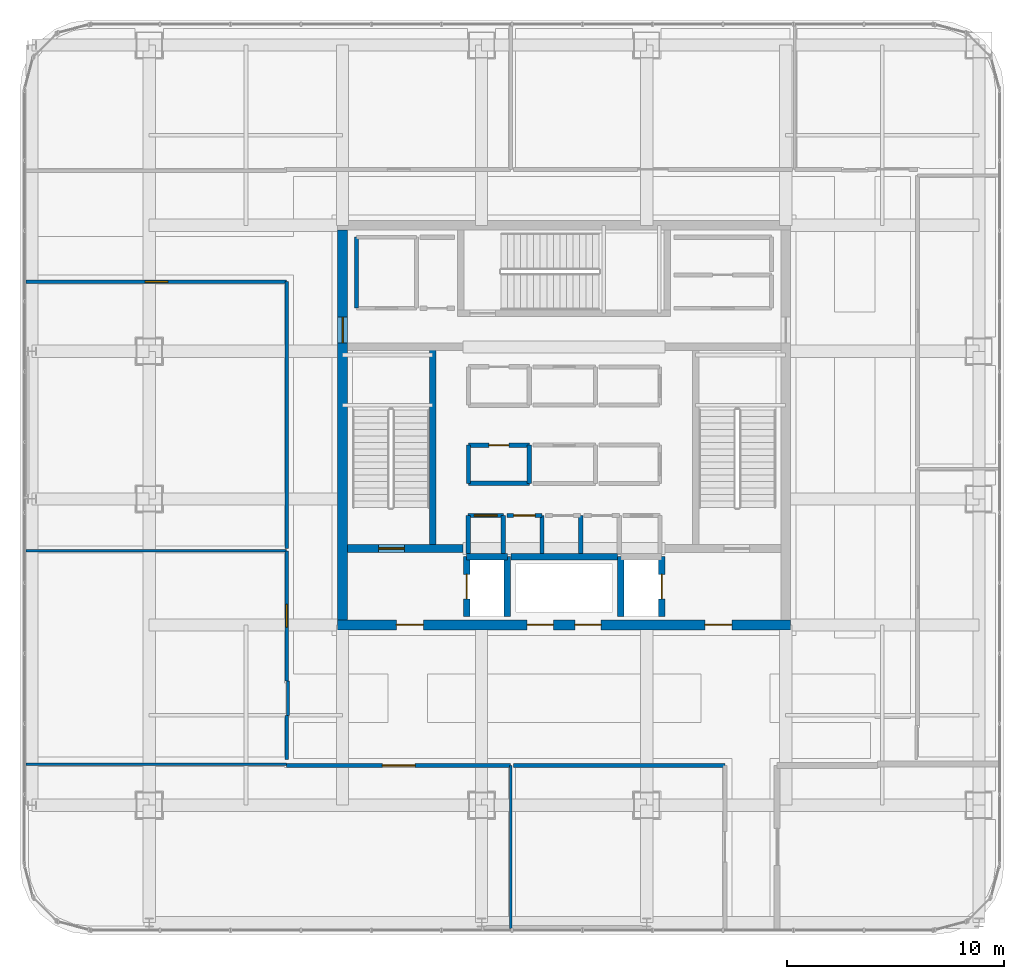
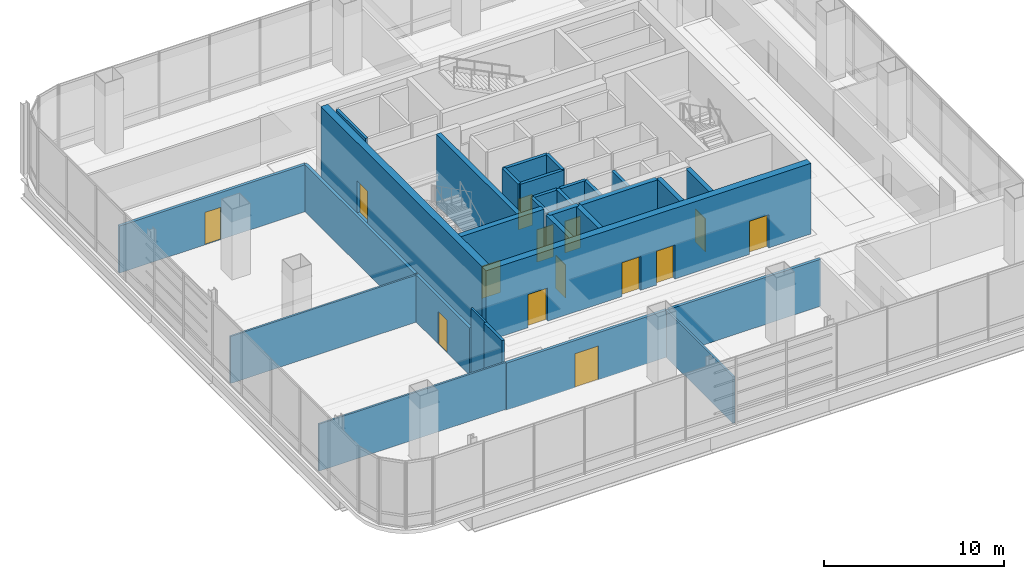
# One storey, part 36 of 45: 31 walls, 14 doors, 14 openings.
"""IFC4 building model written with IfcOpenShell, lengths in metres."""

from ifc_helpers import new_model, si_unit, direction, frame, frame_2d, origin, place, context, subcontext, project, spatial, rectangle, extrude, material, layer, layer_set, type_object, element, fill, save


model = new_model("IFC4")

# Units and contexts
model_context = context("Model", 3, precision=1e-05, world=origin(), true_north=direction((0.0, 1.0)))
body_context = subcontext(model_context, "Body", "Model", "MODEL_VIEW")
ifc_project = project(units=[si_unit("LENGTHUNIT", "METRE"), si_unit("AREAUNIT", "SQUARE_METRE"), si_unit("VOLUMEUNIT", "CUBIC_METRE"), si_unit("PLANEANGLEUNIT", "RADIAN"), si_unit("MASSUNIT", "GRAM", prefix="KILO")], contexts=[model_context])

# Site, building, storey
site_placement = place(None, origin())
site = spatial("IfcSite", under=ifc_project, at=site_placement, CompositionType="ELEMENT")
building_placement = place(site_placement, origin())
building = spatial("IfcBuilding", under=site, at=building_placement, Name="Punatoya Terracotta Tower", CompositionType="ELEMENT")
storey_placement = place(building_placement, frame((0.0, 0.0, 339.0)))
storey = spatial("IfcBuildingStorey", under=building, at=storey_placement, Name="L80", CompositionType="ELEMENT", Elevation=339.0)

# Wall, openings, doors
ifc_material_1 = material(Name="Concrete C50/60", Category="concrete")
ifc_layer_1 = layer(ifc_material_1, 0.449951171875)
ifc_layer_set_1 = layer_set([ifc_layer_1], Name="Concrete C50/60")
wall_type_1 = type_object("IfcWallType", Name="WL-COR-450", PredefinedType="SHEAR", material=ifc_layer_set_1)
wall_1_placement = place(storey_placement, frame((10.425048828125, -9.199951171875, 0.0), z_axis=(0.0, 0.0, 1.0), x_axis=(-1.0, 0.0, 0.0)))
wall_1 = element("IfcWall", 1, at=wall_1_placement, inside=storey, type_object=wall_type_1, Name="L80 Core Shear Wall S", PredefinedType="SHEAR", context=body_context, shape_type="SweptSolid", body=[
    extrude(rectangle(XDim=20.85009765625, YDim=0.449951171875, at=frame_2d((10.425048828125, 0.0))), origin(), (0.0, 0.0, 1.0), 4.800048828125),
])
opening_1_placement = place(wall_1_placement, frame((2.699951171875, 0.0, 0.0)))
opening_1 = element("IfcOpeningElement", 2, at=opening_1_placement, cuts=wall_1, Name="Opening FD-L1", PredefinedType="OPENING", context=body_context, shape_type="SweptSolid", body=[
    extrude(rectangle(XDim=1.25, YDim=2.25, at=frame_2d((0.625, 1.125))), frame((0.0, 0.23486328125, 0.0), z_axis=(0.0, -1.0, 0.0), x_axis=(1.0, 0.0, 0.0)), (0.0, 0.0, 1.0), 0.469970703125),
])
opening_2_placement = place(wall_1_placement, frame((16.89990234375, 0.0, 0.0)))
opening_2 = element("IfcOpeningElement", 3, at=opening_2_placement, cuts=wall_1, Name="Opening FD-L1", PredefinedType="OPENING", context=body_context, shape_type="SweptSolid", body=[
    extrude(rectangle(XDim=1.25, YDim=2.25, at=frame_2d((0.625, 1.125))), frame((0.0, 0.23486328125, 0.0), z_axis=(0.0, -1.0, 0.0), x_axis=(1.0, 0.0, 0.0)), (0.0, 0.0, 1.0), 0.469970703125),
])
opening_3_placement = place(wall_1_placement, frame((10.925048828125, 0.0, 0.0)))
opening_3 = element("IfcOpeningElement", 4, at=opening_3_placement, cuts=wall_1, Name="Opening LD-01", PredefinedType="OPENING", context=body_context, shape_type="SweptSolid", body=[
    extrude(rectangle(XDim=1.199951171875, YDim=2.300048828125, at=frame_2d((0.60009765625, 1.14990234375))), frame((0.0, 0.23486328125, 0.0), z_axis=(0.0, -1.0, 0.0), x_axis=(1.0, 0.0, 0.0)), (0.0, 0.0, 1.0), 0.469970703125),
])
opening_4_placement = place(wall_1_placement, frame((8.72509765625, 0.0, 0.0)))
opening_4 = element("IfcOpeningElement", 5, at=opening_4_placement, cuts=wall_1, Name="Opening LD-01", PredefinedType="OPENING", context=body_context, shape_type="SweptSolid", body=[
    extrude(rectangle(XDim=1.199951171875, YDim=2.300048828125, at=frame_2d((0.60009765625, 1.14990234375))), frame((0.0, 0.23486328125, 0.0), z_axis=(0.0, -1.0, 0.0), x_axis=(1.0, 0.0, 0.0)), (0.0, 0.0, 1.0), 0.469970703125),
])
ifc_material_2 = material(Name="Galvanised Steel Smokeproof Fire Door", Category="steel")
door_type_1 = type_object("IfcDoorType", Name="DR-FFL-1250", OperationType="NOTDEFINED", PredefinedType="DOOR", material=ifc_material_2)
door_1_placement = place(opening_1_placement, origin())
door_1 = element("IfcDoor", 6, at=door_1_placement, inside=storey, type_object=door_type_1, Name="L80 East Firefighting Lobby Corridor Fire Door", OperationType="SINGLE_SWING_LEFT", OverallHeight=2.25, OverallWidth=1.25, PredefinedType="DOOR", context=body_context, shape_type="SweptSolid", body=[
    extrude(rectangle(XDim=1.25, YDim=2.25, at=frame_2d((0.625, 1.125))), frame((0.0, 0.02490234375, 0.0), z_axis=(0.0, -1.0, 0.0), x_axis=(1.0, 0.0, 0.0)), (0.0, 0.0, 1.0), 0.050048828125),
])
fill(opening_1, door_1)
door_2_placement = place(opening_2_placement, origin())
door_2 = element("IfcDoor", 7, at=door_2_placement, inside=storey, type_object=door_type_1, Name="L80 West Firefighting Lobby Corridor Fire Door", OperationType="SINGLE_SWING_RIGHT", OverallHeight=2.25, OverallWidth=1.25, PredefinedType="DOOR", context=body_context, shape_type="SweptSolid", body=[
    extrude(rectangle(XDim=1.25, YDim=2.25, at=frame_2d((0.625, 1.125))), frame((0.0, 0.02490234375, 0.0), z_axis=(0.0, -1.0, 0.0), x_axis=(1.0, 0.0, 0.0)), (0.0, 0.0, 1.0), 0.050048828125),
])
fill(opening_2, door_2)
ifc_material_3 = material(Name="Stainless Steel Lift Landing Door", Category="steel")
door_type_2 = type_object("IfcDoorType", Name="DR-LND-1200", OperationType="NOTDEFINED", PredefinedType="DOOR", material=ifc_material_3)
door_3_placement = place(opening_3_placement, origin())
door_3 = element("IfcDoor", 8, at=door_3_placement, inside=storey, type_object=door_type_2, Name="L80 Observation Express OB-1 Sliding Landing Door", OperationType="DOUBLE_DOOR_SLIDING", OverallHeight=2.300048828125, OverallWidth=1.199951171875, PredefinedType="DOOR", context=body_context, shape_type="SweptSolid", body=[
    extrude(rectangle(XDim=1.199951171875, YDim=2.300048828125, at=frame_2d((0.60009765625, 1.14990234375))), frame((0.0, 0.02490234375, 0.0), z_axis=(0.0, -1.0, 0.0), x_axis=(1.0, 0.0, 0.0)), (0.0, 0.0, 1.0), 0.050048828125),
])
fill(opening_3, door_3)
door_4_placement = place(opening_4_placement, origin())
door_4 = element("IfcDoor", 9, at=door_4_placement, inside=storey, type_object=door_type_2, Name="L80 Observation Express OB-2 Sliding Landing Door", OperationType="DOUBLE_DOOR_SLIDING", OverallHeight=2.300048828125, OverallWidth=1.199951171875, PredefinedType="DOOR", context=body_context, shape_type="SweptSolid", body=[
    extrude(rectangle(XDim=1.199951171875, YDim=2.300048828125, at=frame_2d((0.60009765625, 1.14990234375))), frame((0.0, 0.02490234375, 0.0), z_axis=(0.0, -1.0, 0.0), x_axis=(1.0, 0.0, 0.0)), (0.0, 0.0, 1.0), 0.050048828125),
])
fill(opening_4, door_4)

# Wall, opening, door
wall_2_placement = place(storey_placement, frame((-10.199951171875, -8.97509765625, 0.0), z_axis=(0.0, 0.0, 1.0), x_axis=(0.0, 1.0, 0.0)))
wall_2 = element("IfcWall", 10, at=wall_2_placement, inside=storey, type_object=wall_type_1, Name="L80 Core Shear Wall W", PredefinedType="SHEAR", context=body_context, shape_type="SweptSolid", body=[
    extrude(rectangle(XDim=17.9501953125, YDim=0.449951171875, at=frame_2d((8.97509765625, 0.0))), origin(), (0.0, 0.0, 1.0), 4.800048828125),
])
opening_5_placement = place(wall_2_placement, frame((12.764892578125, 0.0, 0.0)))
opening_5 = element("IfcOpeningElement", 11, at=opening_5_placement, cuts=wall_2, Name="Opening SD-01", PredefinedType="OPENING", context=body_context, shape_type="SweptSolid", body=[
    extrude(rectangle(XDim=1.179931640625, YDim=2.199951171875, at=frame_2d((0.58984375, 1.10009765625))), frame((0.0, 0.23486328125, 0.0), z_axis=(0.0, -1.0, 0.0), x_axis=(1.0, 0.0, 0.0)), (0.0, 0.0, 1.0), 0.469970703125),
])
ifc_material_4 = material(Name="Galvanised Steel Pressurized Stair Fire Door", Category="steel")
door_type_3 = type_object("IfcDoorType", Name="DR-STR-1180", OperationType="NOTDEFINED", PredefinedType="DOOR", material=ifc_material_4)
door_5_placement = place(opening_5_placement, origin())
door_5 = element("IfcDoor", 12, at=door_5_placement, inside=storey, type_object=door_type_3, Name="L80 Central Lift Lobby West Fire Door", OperationType="SINGLE_SWING_LEFT", OverallHeight=2.199951171875, OverallWidth=1.179931640625, PredefinedType="DOOR", context=body_context, shape_type="SweptSolid", body=[
    extrude(rectangle(XDim=1.179931640625, YDim=2.199951171875, at=frame_2d((0.58984375, 1.10009765625))), frame((0.0, 0.02490234375, 0.0), z_axis=(0.0, -1.0, 0.0), x_axis=(1.0, 0.0, 0.0)), (0.0, 0.0, 1.0), 0.050048828125),
])
fill(opening_5, door_5)

# Wall
ifc_material_5 = material(Name="Gypsum Fireboard + Steel Stud", Category="steel")
ifc_layer_2 = layer(ifc_material_5, 0.179931640625)
ifc_layer_set_2 = layer_set([ifc_layer_2], Name="Gypsum Fireboard + Steel Stud")
wall_type_2 = type_object("IfcWallType", Name="WL-CORR-180", PredefinedType="PARTITIONING", material=ifc_layer_set_2)
wall_3_placement = place(storey_placement, frame((-9.550048828125, 8.64990234375, 0.0), z_axis=(0.0, 0.0, 1.0), x_axis=(0.0, -1.0, 0.0)))
element("IfcWall", 13, at=wall_3_placement, inside=storey, type_object=wall_type_2, Name="L80 West Core Briefing Pod Partition 34", PredefinedType="PARTITIONING", context=body_context, shape_type="SweptSolid", body=[
    extrude(rectangle(XDim=3.27001953125, YDim=0.179931640625, at=frame_2d((1.635009765625, 0.0))), origin(), (0.0, 0.0, 1.0), 4.52001953125),
])

# Wall, opening, door
wall_4_placement = place(storey_placement, frame((-12.77001953125, -15.669921875, 0.0), z_axis=(0.0, 0.0, 1.0), x_axis=(1.0, 0.0, 0.0)))
wall_4 = element("IfcWall", 14, at=wall_4_placement, inside=storey, type_object=wall_type_2, Name="L80 Waterfront Observation Gallery Partition 44", PredefinedType="PARTITIONING", context=body_context, shape_type="SweptSolid", body=[
    extrude(rectangle(XDim=10.31005859375, YDim=0.179931640625, at=frame_2d((5.155029296875, 0.0))), origin(), (0.0, 0.0, 1.0), 3.194091796875),
])
opening_6_placement = place(wall_4_placement, frame((4.405029296875, 0.0, 0.0)))
opening_6 = element("IfcOpeningElement", 15, at=opening_6_placement, cuts=wall_4, Name="Opening ED-01", PredefinedType="OPENING", context=body_context, shape_type="SweptSolid", body=[
    extrude(rectangle(XDim=1.5, YDim=2.300048828125, at=frame_2d((0.75, 1.14990234375))), frame((0.0, 0.099853515625, 0.0), z_axis=(0.0, -1.0, 0.0), x_axis=(1.0, 0.0, 0.0)), (0.0, 0.0, 1.0), 0.199951171875),
])
ifc_material_6 = material(Name="Bengal Teak Fire-Resisting Double Leaf")
door_type_4 = type_object("IfcDoorType", Name="DR-EXEC-1500", OperationType="NOTDEFINED", PredefinedType="DOOR", material=ifc_material_6)
door_6_placement = place(opening_6_placement, origin())
door_6 = element("IfcDoor", 16, at=door_6_placement, inside=storey, type_object=door_type_4, Name="L80 Waterfront Observation Gallery Fire Door", OperationType="DOUBLE_DOOR_SINGLE_SWING", OverallHeight=2.300048828125, OverallWidth=1.5, PredefinedType="DOOR", context=body_context, shape_type="SweptSolid", body=[
    extrude(rectangle(XDim=1.5, YDim=2.300048828125, at=frame_2d((0.75, 1.14990234375))), frame((0.0, 0.02490234375, 0.0), z_axis=(0.0, -1.0, 0.0), x_axis=(1.0, 0.0, 0.0)), (0.0, 0.0, 1.0), 0.050048828125),
])
fill(opening_6, door_6)

# Wall
wall_5_placement = place(storey_placement, frame((-2.340087890625, -15.669921875, 0.0), z_axis=(0.0, 0.0, 1.0), x_axis=(1.0, 0.0, 0.0)))
element("IfcWall", 17, at=wall_5_placement, inside=storey, type_object=wall_type_2, Name="L80 Open-Plan Heritage Collections Curatorial Study Partition 47", PredefinedType="PARTITIONING", context=body_context, shape_type="SweptSolid", body=[
    extrude(rectangle(XDim=9.739990234375, YDim=0.179931640625, at=frame_2d((4.8701171875, 0.0))), origin(), (0.0, 0.0, 1.0), 3.194091796875),
])

# Wall, opening, door
wall_6_placement = place(storey_placement, frame((-12.77001953125, -5.7900390625, 0.0), z_axis=(0.0, 0.0, 1.0), x_axis=(0.0, -1.0, 0.0)))
wall_6 = element("IfcWall", 18, at=wall_6_placement, inside=storey, type_object=wall_type_2, Name="L80 Panoramic Photography Studio Partition 52", PredefinedType="PARTITIONING", context=body_context, shape_type="SweptSolid", body=[
    extrude(rectangle(XDim=5.97998046875, YDim=0.179931640625, at=frame_2d((2.989990234375, 0.0))), origin(), (0.0, 0.0, 1.0), 3.194091796875),
])
opening_7_placement = place(wall_6_placement, frame((2.465087890625, 0.0, 0.0)))
opening_7 = element("IfcOpeningElement", 19, at=opening_7_placement, cuts=wall_6, Name="Opening OD-01", PredefinedType="OPENING", context=body_context, shape_type="SweptSolid", body=[
    extrude(rectangle(XDim=1.050048828125, YDim=2.199951171875, at=frame_2d((0.52490234375, 1.10009765625))), frame((0.0, 0.099853515625, 0.0), z_axis=(0.0, -1.0, 0.0), x_axis=(1.0, 0.0, 0.0)), (0.0, 0.0, 1.0), 0.199951171875),
])
ifc_material_7 = material(Name="Bengal Teak Solid-Core Leaf")
door_type_5 = type_object("IfcDoorType", Name="DR-OFF-1050", OperationType="NOTDEFINED", PredefinedType="DOOR", material=ifc_material_7)
door_7_placement = place(opening_7_placement, origin())
door_7 = element("IfcDoor", 20, at=door_7_placement, inside=storey, type_object=door_type_5, Name="L80 Panoramic Photography Studio Door", OperationType="SINGLE_SWING_RIGHT", OverallHeight=2.199951171875, OverallWidth=1.050048828125, PredefinedType="DOOR", context=body_context, shape_type="SweptSolid", body=[
    extrude(rectangle(XDim=1.050048828125, YDim=2.199951171875, at=frame_2d((0.52490234375, 1.10009765625))), frame((0.0, 0.02490234375, 0.0), z_axis=(0.0, -1.0, 0.0), x_axis=(1.0, 0.0, 0.0)), (0.0, 0.0, 1.0), 0.050048828125),
])
fill(opening_7, door_7)

# Wall
wall_7_placement = place(storey_placement, frame((-12.77001953125, -13.3798828125, 0.0), z_axis=(0.0, 0.0, 1.0), x_axis=(0.0, -1.0, 0.0)))
element("IfcWall", 21, at=wall_7_placement, inside=storey, type_object=wall_type_2, Name="L80 Panoramic Photography Studio Partition 54", PredefinedType="PARTITIONING", context=body_context, shape_type="SweptSolid", body=[
    extrude(rectangle(XDim=2.010009765625, YDim=0.179931640625, at=frame_2d((1.0048828125, 0.0))), origin(), (0.0, 0.0, 1.0), 4.52001953125),
])

# Wall, opening, door
wall_8_placement = place(storey_placement, frame((-24.77001953125, 6.60009765625, 0.0), z_axis=(0.0, 0.0, 1.0), x_axis=(1.0, 0.0, 0.0)))
wall_8 = element("IfcWall", 22, at=wall_8_placement, inside=storey, type_object=wall_type_2, Name="L80 Open-Plan Digital Cartography Studio Partition 58", PredefinedType="PARTITIONING", context=body_context, shape_type="SweptSolid", body=[
    extrude(rectangle(XDim=12.0, YDim=0.179931640625, at=frame_2d((6.0, 0.0))), origin(), (0.0, 0.0, 1.0), 3.194091796875),
])
opening_8_placement = place(wall_8_placement, frame((5.47509765625, 0.0, 0.0)))
opening_8 = element("IfcOpeningElement", 23, at=opening_8_placement, cuts=wall_8, Name="Opening OD-01", PredefinedType="OPENING", context=body_context, shape_type="SweptSolid", body=[
    extrude(rectangle(XDim=1.050048828125, YDim=2.199951171875, at=frame_2d((0.52490234375, 1.10009765625))), frame((0.0, 0.099853515625, 0.0), z_axis=(0.0, -1.0, 0.0), x_axis=(1.0, 0.0, 0.0)), (0.0, 0.0, 1.0), 0.199951171875),
])
door_8_placement = place(opening_8_placement, origin())
door_8 = element("IfcDoor", 24, at=door_8_placement, inside=storey, type_object=door_type_5, Name="L80 Open-Plan Digital Cartography Studio Door", OperationType="SINGLE_SWING_RIGHT", OverallHeight=2.199951171875, OverallWidth=1.050048828125, PredefinedType="DOOR", context=body_context, shape_type="SweptSolid", body=[
    extrude(rectangle(XDim=1.050048828125, YDim=2.199951171875, at=frame_2d((0.52490234375, 1.10009765625))), frame((0.0, 0.02490234375, 0.0), z_axis=(0.0, -1.0, 0.0), x_axis=(1.0, 0.0, 0.0)), (0.0, 0.0, 1.0), 0.050048828125),
])
fill(opening_8, door_8)

# Walls
wall_9_placement = place(storey_placement, frame((-12.77001953125, 6.60009765625, 0.0), z_axis=(0.0, 0.0, 1.0), x_axis=(0.0, -1.0, 0.0)))
element("IfcWall", 25, at=wall_9_placement, inside=storey, type_object=wall_type_2, Name="L80 Open-Plan Digital Cartography Studio Partition 59", PredefinedType="PARTITIONING", context=body_context, shape_type="SweptSolid", body=[
    extrude(rectangle(XDim=12.27001953125, YDim=0.179931640625, at=frame_2d((6.135009765625, 0.0))), origin(), (0.0, 0.0, 1.0), 3.194091796875),
])
ifc_material_8 = material(Name="Concrete C40/50", Category="concrete")
ifc_layer_3 = layer(ifc_material_8, 0.199951171875)
ifc_layer_set_3 = layer_set([ifc_layer_3], Name="Concrete C40/50")
wall_type_3 = type_object("IfcWallType", Name="WL-INT-200", PredefinedType="SOLIDWALL", material=ifc_layer_set_3)
wall_10_placement = place(storey_placement, frame((-2.800048828125, -5.89990234375, 0.0), z_axis=(0.0, 0.0, 1.0), x_axis=(0.0, 1.0, 0.0)))
element("IfcWall", 26, at=wall_10_placement, inside=storey, type_object=wall_type_3, Name="L80 Core Tea Pantry Partition 01", PredefinedType="SOLIDWALL", context=body_context, shape_type="SweptSolid", body=[
    extrude(rectangle(XDim=1.739990234375, YDim=0.199951171875, at=frame_2d((0.8701171875, 0.0))), origin(), (0.0, 0.0, 1.0), 4.52001953125),
])

# Wall, opening, door
wall_11_placement = place(storey_placement, frame((-2.800048828125, -4.159912109375, 0.0), z_axis=(0.0, 0.0, 1.0), x_axis=(-1.0, 0.0, 0.0)))
wall_11 = element("IfcWall", 27, at=wall_11_placement, inside=storey, type_object=wall_type_3, Name="L80 Core Tea Pantry Partition 02", PredefinedType="SOLIDWALL", context=body_context, shape_type="SweptSolid", body=[
    extrude(rectangle(XDim=1.619873046875, YDim=0.199951171875, at=frame_2d((0.81005859375, 0.0))), origin(), (0.0, 0.0, 1.0), 4.52001953125),
])
opening_9_placement = place(wall_11_placement, frame((0.284912109375, 0.0, 0.0)))
opening_9 = element("IfcOpeningElement", 28, at=opening_9_placement, cuts=wall_11, Name="Opening OD-01", PredefinedType="OPENING", context=body_context, shape_type="SweptSolid", body=[
    extrude(rectangle(XDim=1.050048828125, YDim=2.199951171875, at=frame_2d((0.52490234375, 1.10009765625))), frame((0.0, 0.10986328125, 0.0), z_axis=(0.0, -1.0, 0.0), x_axis=(1.0, 0.0, 0.0)), (0.0, 0.0, 1.0), 0.219970703125),
])
door_9_placement = place(opening_9_placement, origin())
door_9 = element("IfcDoor", 29, at=door_9_placement, inside=storey, type_object=door_type_5, Name="L80 Tea Pantry Door", OperationType="SINGLE_SWING_RIGHT", OverallHeight=2.199951171875, OverallWidth=1.050048828125, PredefinedType="DOOR", context=body_context, shape_type="SweptSolid", body=[
    extrude(rectangle(XDim=1.050048828125, YDim=2.199951171875, at=frame_2d((0.52490234375, 1.10009765625))), frame((0.0, 0.02490234375, 0.0), z_axis=(0.0, -1.0, 0.0), x_axis=(1.0, 0.0, 0.0)), (0.0, 0.0, 1.0), 0.050048828125),
])
fill(opening_9, door_9)

# Walls
for number, where, z_axis, x_axis, name in (
    (30, (-4.419921875, -4.159912109375, 0.0), (0.0, 0.0, 1.0), (0.0, -1.0, 0.0), "L80 Core Tea Pantry Partition 03"),
    (31, (-1.02001953125, -5.89990234375, 0.0), (0.0, 0.0, 1.0), (0.0, 1.0, 0.0), "L80 Accessible Washroom Partition 04"),
):
    element("IfcWall", number, at=place(storey_placement, frame(where, z_axis=z_axis, x_axis=x_axis)), inside=storey, type_object=wall_type_3, Name=name, PredefinedType="SOLIDWALL", context=body_context, shape_type="SweptSolid", body=[
        extrude(rectangle(XDim=1.739990234375, YDim=0.199951171875, at=frame_2d((0.8701171875, 0.0))), origin(), (0.0, 0.0, 1.0), 4.52001953125),
    ])

# Wall, opening, door
wall_12_placement = place(storey_placement, frame((-1.02001953125, -4.159912109375, 0.0), z_axis=(0.0, 0.0, 1.0), x_axis=(-1.0, 0.0, 0.0)))
wall_12 = element("IfcWall", 32, at=wall_12_placement, inside=storey, type_object=wall_type_3, Name="L80 Accessible Washroom Partition 05", PredefinedType="SOLIDWALL", context=body_context, shape_type="SweptSolid", body=[
    extrude(rectangle(XDim=1.619873046875, YDim=0.199951171875, at=frame_2d((0.81005859375, 0.0))), origin(), (0.0, 0.0, 1.0), 4.52001953125),
])
opening_10_placement = place(wall_12_placement, frame((0.31005859375, 0.0, 0.0)))
opening_10 = element("IfcOpeningElement", 33, at=opening_10_placement, cuts=wall_12, Name="Opening AWD-1", PredefinedType="OPENING", context=body_context, shape_type="SweptSolid", body=[
    extrude(rectangle(XDim=1.0, YDim=2.14990234375, at=frame_2d((0.5, 1.074951171875))), frame((0.0, 0.10986328125, 0.0), z_axis=(0.0, -1.0, 0.0), x_axis=(1.0, 0.0, 0.0)), (0.0, 0.0, 1.0), 0.219970703125),
])
ifc_material_9 = material(Name="Bengal Teak Accessible WC Leaf")
door_type_6 = type_object("IfcDoorType", Name="DR-ACC-1000", OperationType="NOTDEFINED", PredefinedType="DOOR", material=ifc_material_9)
door_10_placement = place(opening_10_placement, origin())
door_10 = element("IfcDoor", 34, at=door_10_placement, inside=storey, type_object=door_type_6, Name="L80 Accessible Washroom Door", OperationType="SINGLE_SWING_LEFT", OverallHeight=2.14990234375, OverallWidth=1.0, PredefinedType="DOOR", context=body_context, shape_type="SweptSolid", body=[
    extrude(rectangle(XDim=1.0, YDim=2.14990234375, at=frame_2d((0.5, 1.074951171875))), frame((0.0, 0.02490234375, 0.0), z_axis=(0.0, -1.0, 0.0), x_axis=(1.0, 0.0, 0.0)), (0.0, 0.0, 1.0), 0.050048828125),
])
fill(opening_10, door_10)

# Walls
wall_13_placement = place(storey_placement, frame((0.760009765625, -5.89990234375, 0.0), z_axis=(0.0, 0.0, 1.0), x_axis=(0.0, 1.0, 0.0)))
element("IfcWall", 35, at=wall_13_placement, inside=storey, type_object=wall_type_3, Name="L80 Female Washroom Partition 06", PredefinedType="SOLIDWALL", context=body_context, shape_type="SweptSolid", body=[
    extrude(rectangle(XDim=1.739990234375, YDim=0.199951171875, at=frame_2d((0.8701171875, 0.0))), origin(), (0.0, 0.0, 1.0), 4.52001953125),
])
wall_14_placement = place(storey_placement, frame((-1.60009765625, -2.679931640625, 0.0), z_axis=(0.0, 0.0, 1.0), x_axis=(0.0, 1.0, 0.0)))
element("IfcWall", 36, at=wall_14_placement, inside=storey, type_object=wall_type_3, Name="L80 Left Core Store Partition 12", PredefinedType="SOLIDWALL", context=body_context, shape_type="SweptSolid", body=[
    extrude(rectangle(XDim=1.760009765625, YDim=0.199951171875, at=frame_2d((0.8798828125, 0.0))), origin(), (0.0, 0.0, 1.0), 4.52001953125),
])

# Wall, opening, door
wall_15_placement = place(storey_placement, frame((-1.60009765625, -0.919921875, 0.0), z_axis=(0.0, 0.0, 1.0), x_axis=(-1.0, 0.0, 0.0)))
wall_15 = element("IfcWall", 37, at=wall_15_placement, inside=storey, type_object=wall_type_3, Name="L80 Left Core Store Partition 13", PredefinedType="SOLIDWALL", context=body_context, shape_type="SweptSolid", body=[
    extrude(rectangle(XDim=2.7998046875, YDim=0.199951171875, at=frame_2d((1.39990234375, 0.0))), origin(), (0.0, 0.0, 1.0), 4.52001953125),
])
opening_11_placement = place(wall_15_placement, frame((0.93994140625, 0.0, 0.0)))
opening_11 = element("IfcOpeningElement", 38, at=opening_11_placement, cuts=wall_15, Name="Opening FD-R1", PredefinedType="OPENING", context=body_context, shape_type="SweptSolid", body=[
    extrude(rectangle(XDim=0.919921875, YDim=2.10009765625, at=frame_2d((0.4599609375, 1.050048828125))), frame((0.0, 0.10986328125, 0.0), z_axis=(0.0, -1.0, 0.0), x_axis=(1.0, 0.0, 0.0)), (0.0, 0.0, 1.0), 0.219970703125),
])
ifc_material_10 = material(Name="Galvanised Steel Riser Fire Access Door", Category="steel")
door_type_7 = type_object("IfcDoorType", Name="DR-RSR-920", OperationType="NOTDEFINED", PredefinedType="DOOR", material=ifc_material_10)
door_11_placement = place(opening_11_placement, origin())
door_11 = element("IfcDoor", 39, at=door_11_placement, inside=storey, type_object=door_type_7, Name="L80 Left Core Store Fire Door", OperationType="SINGLE_SWING_LEFT", OverallHeight=2.10009765625, OverallWidth=0.919921875, PredefinedType="DOOR", context=body_context, shape_type="SweptSolid", body=[
    extrude(rectangle(XDim=0.919921875, YDim=2.10009765625, at=frame_2d((0.4599609375, 1.050048828125))), frame((0.0, 0.02490234375, 0.0), z_axis=(0.0, -1.0, 0.0), x_axis=(1.0, 0.0, 0.0)), (0.0, 0.0, 1.0), 0.050048828125),
])
fill(opening_11, door_11)

# Walls
wall_16_placement = place(storey_placement, frame((-4.39990234375, -0.919921875, 0.0), z_axis=(0.0, 0.0, 1.0), x_axis=(0.0, -1.0, 0.0)))
element("IfcWall", 40, at=wall_16_placement, inside=storey, type_object=wall_type_3, Name="L80 Left Core Store Partition 14", PredefinedType="SOLIDWALL", context=body_context, shape_type="SweptSolid", body=[
    extrude(rectangle(XDim=1.760009765625, YDim=0.199951171875, at=frame_2d((0.8798828125, 0.0))), origin(), (0.0, 0.0, 1.0), 4.52001953125),
])
wall_17_placement = place(storey_placement, frame((-4.39990234375, -2.679931640625, 0.0), z_axis=(0.0, 0.0, 1.0), x_axis=(1.0, 0.0, 0.0)))
element("IfcWall", 41, at=wall_17_placement, inside=storey, type_object=wall_type_3, Name="L80 Left Core Store Partition 15", PredefinedType="SOLIDWALL", context=body_context, shape_type="SweptSolid", body=[
    extrude(rectangle(XDim=2.7998046875, YDim=0.199951171875, at=frame_2d((1.39990234375, 0.0))), origin(), (0.0, 0.0, 1.0), 4.52001953125),
])
ifc_material_11 = material(Name="Gypsum Partition + Steel Stud", Category="steel")
ifc_layer_4 = layer(ifc_material_11, 0.1201171875)
ifc_layer_set_4 = layer_set([ifc_layer_4], Name="Gypsum Partition + Steel Stud")
wall_type_4 = type_object("IfcWallType", Name="WL-OFF-120", PredefinedType="PARTITIONING", material=ifc_layer_set_4)
wall_18_placement = place(storey_placement, frame((-24.77001953125, -15.610107421875, 0.0), z_axis=(0.0, 0.0, 1.0), x_axis=(1.0, 0.0, 0.0)))
element("IfcWall", 42, at=wall_18_placement, inside=storey, type_object=wall_type_4, Name="L80 Waterfront Observation Gallery Partition 43", PredefinedType="PARTITIONING", context=body_context, shape_type="SweptSolid", body=[
    extrude(rectangle(XDim=12.0, YDim=0.1201171875, at=frame_2d((6.0, 0.0))), origin(), (0.0, 0.0, 1.0), 3.194091796875),
])
wall_19_placement = place(storey_placement, frame((-2.4599609375, -15.669921875, 0.0), z_axis=(0.0, 0.0, 1.0), x_axis=(0.0, -1.0, 0.0)))
element("IfcWall", 43, at=wall_19_placement, inside=storey, type_object=wall_type_4, Name="L80 Waterfront Observation Gallery Partition 45", PredefinedType="PARTITIONING", context=body_context, shape_type="SweptSolid", body=[
    extrude(rectangle(XDim=7.5, YDim=0.1201171875, at=frame_2d((3.75, 0.0))), origin(), (0.0, 0.0, 1.0), 3.194091796875),
])
wall_20_placement = place(storey_placement, frame((-24.77001953125, -5.7900390625, 0.0), z_axis=(0.0, 0.0, 1.0), x_axis=(1.0, 0.0, 0.0)))
element("IfcWall", 44, at=wall_20_placement, inside=storey, type_object=wall_type_4, Name="L80 Panoramic Photography Studio Partition 51", PredefinedType="PARTITIONING", context=body_context, shape_type="SweptSolid", body=[
    extrude(rectangle(XDim=12.0, YDim=0.1201171875, at=frame_2d((6.0, 0.0))), origin(), (0.0, 0.0, 1.0), 3.194091796875),
])
wall_21_placement = place(storey_placement, frame((-12.7099609375, -11.77001953125, 0.0), z_axis=(0.0, 0.0, 1.0), x_axis=(0.0, -1.0, 0.0)))
element("IfcWall", 45, at=wall_21_placement, inside=storey, type_object=wall_type_4, Name="L80 Panoramic Photography Studio Partition 53", PredefinedType="PARTITIONING", context=body_context, shape_type="SweptSolid", body=[
    extrude(rectangle(XDim=1.60986328125, YDim=0.1201171875, at=frame_2d((0.804931640625, 0.0))), origin(), (0.0, 0.0, 1.0), 4.52001953125),
])
ifc_layer_5 = layer(ifc_material_8, 0.300048828125)
ifc_layer_set_5 = layer_set([ifc_layer_5], Name="Concrete C40/50")
wall_type_5 = type_object("IfcWallType", Name="WL-SHF-300", PredefinedType="SOLIDWALL", material=ifc_layer_set_5)
wall_22_placement = place(storey_placement, frame((-6.050048828125, -5.5, 0.0), z_axis=(0.0, 0.0, 1.0), x_axis=(0.0, 1.0, 0.0)))
element("IfcWall", 46, at=wall_22_placement, inside=storey, type_object=wall_type_5, Name="L80 Structural Stair Shaft Wall SW-ST1-E", PredefinedType="SOLIDWALL", context=body_context, shape_type="SweptSolid", body=[
    extrude(rectangle(XDim=8.949951171875, YDim=0.300048828125, at=frame_2d((4.47509765625, 0.0))), origin(), (0.0, 0.0, 1.0), 4.800048828125),
])

# Wall, opening, door
wall_23_placement = place(storey_placement, frame((-4.489990234375, -8.820068359375, 0.0), z_axis=(0.0, 0.0, 1.0), x_axis=(0.0, 1.0, 0.0)))
wall_23 = element("IfcWall", 47, at=wall_23_placement, inside=storey, type_object=wall_type_5, Name="L80 FFL-1 Front Hoistway Wall", PredefinedType="SOLIDWALL", context=body_context, shape_type="SweptSolid", body=[
    extrude(rectangle(XDim=2.77001953125, YDim=0.300048828125, at=frame_2d((1.385009765625, 0.0))), origin(), (0.0, 0.0, 1.0), 4.52001953125),
])
opening_12_placement = place(wall_23_placement, frame((0.824951171875, 0.0, 0.0)))
opening_12 = element("IfcOpeningElement", 48, at=opening_12_placement, cuts=wall_23, Name="Opening LD-02", PredefinedType="OPENING", context=body_context, shape_type="SweptSolid", body=[
    extrude(rectangle(XDim=1.1201171875, YDim=2.25, at=frame_2d((0.56005859375, 1.125))), frame((0.0, 0.159912109375, 0.0), z_axis=(0.0, -1.0, 0.0), x_axis=(1.0, 0.0, 0.0)), (0.0, 0.0, 1.0), 0.320068359375),
])
door_type_8 = type_object("IfcDoorType", Name="DR-LND-1120", OperationType="NOTDEFINED", PredefinedType="DOOR", material=ifc_material_3)
door_12_placement = place(opening_12_placement, origin())
door_12 = element("IfcDoor", 49, at=door_12_placement, inside=storey, type_object=door_type_8, Name="L80 Firefighting Lift FFL-1 Sliding Landing Door", OperationType="SLIDING_TO_LEFT", OverallHeight=2.25, OverallWidth=1.1201171875, PredefinedType="DOOR", context=body_context, shape_type="SweptSolid", body=[
    extrude(rectangle(XDim=1.1201171875, YDim=2.25, at=frame_2d((0.56005859375, 1.125))), frame((0.0, 0.02490234375, 0.0), z_axis=(0.0, -1.0, 0.0), x_axis=(1.0, 0.0, 0.0)), (0.0, 0.0, 1.0), 0.050048828125),
])
fill(opening_12, door_12)

# Walls
wall_24_placement = place(storey_placement, frame((-2.610107421875, -8.820068359375, 0.0), z_axis=(0.0, 0.0, 1.0), x_axis=(0.0, 1.0, 0.0)))
element("IfcWall", 50, at=wall_24_placement, inside=storey, type_object=wall_type_5, Name="L80 FFL-1 Rear Hoistway Wall", PredefinedType="SOLIDWALL", context=body_context, shape_type="SweptSolid", body=[
    extrude(rectangle(XDim=2.77001953125, YDim=0.300048828125, at=frame_2d((1.385009765625, 0.0))), origin(), (0.0, 0.0, 1.0), 4.52001953125),
])
wall_25_placement = place(storey_placement, frame((-4.489990234375, -6.050048828125, 0.0), z_axis=(0.0, 0.0, 1.0), x_axis=(1.0, 0.0, 0.0)))
element("IfcWall", 51, at=wall_25_placement, inside=storey, type_object=wall_type_5, Name="L80 FFL-1 North Hoistway Wall", PredefinedType="SOLIDWALL", context=body_context, shape_type="SweptSolid", body=[
    extrude(rectangle(XDim=1.8798828125, YDim=0.300048828125, at=frame_2d((0.93994140625, 0.0))), origin(), (0.0, 0.0, 1.0), 4.52001953125),
])

# Wall, opening, door
wall_26_placement = place(storey_placement, frame((4.489990234375, -8.820068359375, 0.0), z_axis=(0.0, 0.0, 1.0), x_axis=(0.0, 1.0, 0.0)))
wall_26 = element("IfcWall", 52, at=wall_26_placement, inside=storey, type_object=wall_type_5, Name="L80 FFL-2 Front Hoistway Wall", PredefinedType="SOLIDWALL", context=body_context, shape_type="SweptSolid", body=[
    extrude(rectangle(XDim=2.77001953125, YDim=0.300048828125, at=frame_2d((1.385009765625, 0.0))), origin(), (0.0, 0.0, 1.0), 4.52001953125),
])
opening_13_placement = place(wall_26_placement, frame((0.824951171875, 0.0, 0.0)))
opening_13 = element("IfcOpeningElement", 53, at=opening_13_placement, cuts=wall_26, Name="Opening LD-02", PredefinedType="OPENING", context=body_context, shape_type="SweptSolid", body=[
    extrude(rectangle(XDim=1.1201171875, YDim=2.25, at=frame_2d((0.56005859375, 1.125))), frame((0.0, 0.159912109375, 0.0), z_axis=(0.0, -1.0, 0.0), x_axis=(1.0, 0.0, 0.0)), (0.0, 0.0, 1.0), 0.320068359375),
])
door_13_placement = place(opening_13_placement, origin())
door_13 = element("IfcDoor", 54, at=door_13_placement, inside=storey, type_object=door_type_8, Name="L80 Firefighting Lift FFL-2 Sliding Landing Door", OperationType="SLIDING_TO_RIGHT", OverallHeight=2.25, OverallWidth=1.1201171875, PredefinedType="DOOR", context=body_context, shape_type="SweptSolid", body=[
    extrude(rectangle(XDim=1.1201171875, YDim=2.25, at=frame_2d((0.56005859375, 1.125))), frame((0.0, 0.02490234375, 0.0), z_axis=(0.0, -1.0, 0.0), x_axis=(1.0, 0.0, 0.0)), (0.0, 0.0, 1.0), 0.050048828125),
])
fill(opening_13, door_13)

# Walls
wall_27_placement = place(storey_placement, frame((2.610107421875, -8.820068359375, 0.0), z_axis=(0.0, 0.0, 1.0), x_axis=(0.0, 1.0, 0.0)))
element("IfcWall", 55, at=wall_27_placement, inside=storey, type_object=wall_type_5, Name="L80 FFL-2 Rear Hoistway Wall", PredefinedType="SOLIDWALL", context=body_context, shape_type="SweptSolid", body=[
    extrude(rectangle(XDim=2.77001953125, YDim=0.300048828125, at=frame_2d((1.385009765625, 0.0))), origin(), (0.0, 0.0, 1.0), 4.52001953125),
])
wall_28_placement = place(storey_placement, frame((-2.449951171875, -6.050048828125, 0.0), z_axis=(0.0, 0.0, 1.0), x_axis=(1.0, 0.0, 0.0)))
element("IfcWall", 56, at=wall_28_placement, inside=storey, type_object=wall_type_5, Name="L80 Observation Shuttle Rear Hoistway Wall", PredefinedType="SOLIDWALL", context=body_context, shape_type="SweptSolid", body=[
    extrude(rectangle(XDim=4.89990234375, YDim=0.300048828125, at=frame_2d((2.449951171875, 0.0))), origin(), (0.0, 0.0, 1.0), 4.52001953125),
])

# Wall, opening, door
ifc_layer_6 = layer(ifc_material_1, 0.35009765625)
ifc_layer_set_6 = layer_set([ifc_layer_6], Name="Concrete C50/60")
wall_type_6 = type_object("IfcWallType", Name="WL-SHF-350", PredefinedType="SOLIDWALL", material=ifc_layer_set_6)
wall_29_placement = place(storey_placement, frame((-9.97509765625, -5.679931640625, 0.0), z_axis=(0.0, 0.0, 1.0), x_axis=(1.0, 0.0, 0.0)))
wall_29 = element("IfcWall", 57, at=wall_29_placement, inside=storey, type_object=wall_type_6, Name="L80 Core Web Wall CSW-L", PredefinedType="SOLIDWALL", context=body_context, shape_type="SweptSolid", body=[
    extrude(rectangle(XDim=5.3251953125, YDim=0.35009765625, at=frame_2d((2.66259765625, 0.0))), origin(), (0.0, 0.0, 1.0), 4.800048828125),
])
opening_14_placement = place(wall_29_placement, frame((1.43505859375, 0.0, 0.0)))
opening_14 = element("IfcOpeningElement", 58, at=opening_14_placement, cuts=wall_29, Name="Opening SD-01", PredefinedType="OPENING", context=body_context, shape_type="SweptSolid", body=[
    extrude(rectangle(XDim=1.179931640625, YDim=2.199951171875, at=frame_2d((0.58984375, 1.10009765625))), frame((0.0, 0.18505859375, 0.0), z_axis=(0.0, -1.0, 0.0), x_axis=(1.0, 0.0, 0.0)), (0.0, 0.0, 1.0), 0.3701171875),
])
door_14_placement = place(opening_14_placement, origin())
door_14 = element("IfcDoor", 59, at=door_14_placement, inside=storey, type_object=door_type_3, Name="L80 Stair ST-1 Smokeproof Lobby Fire Door", OperationType="SINGLE_SWING_LEFT", OverallHeight=2.199951171875, OverallWidth=1.179931640625, PredefinedType="DOOR", context=body_context, shape_type="SweptSolid", body=[
    extrude(rectangle(XDim=1.179931640625, YDim=2.199951171875, at=frame_2d((0.58984375, 1.10009765625))), frame((0.0, 0.02490234375, 0.0), z_axis=(0.0, -1.0, 0.0), x_axis=(1.0, 0.0, 0.0)), (0.0, 0.0, 1.0), 0.050048828125),
])
fill(opening_14, door_14)

save(model, "model.ifc")
